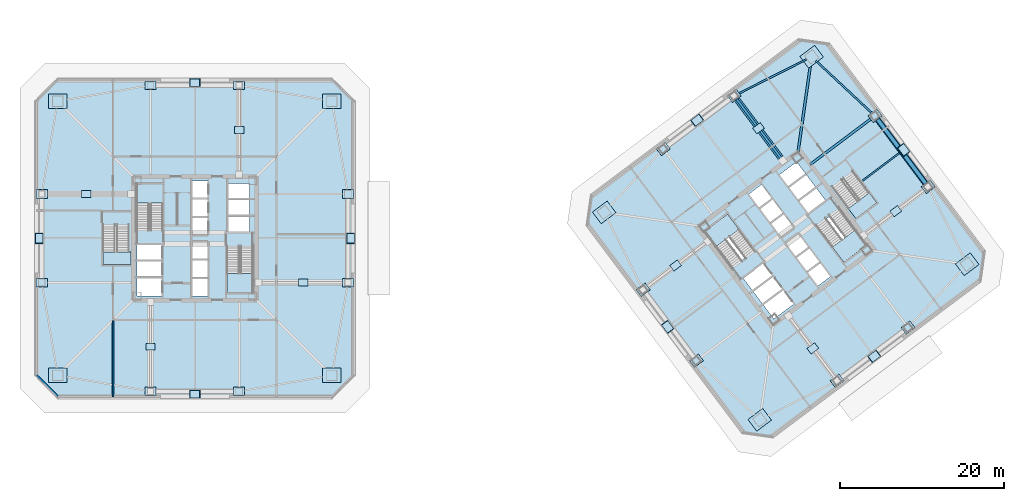
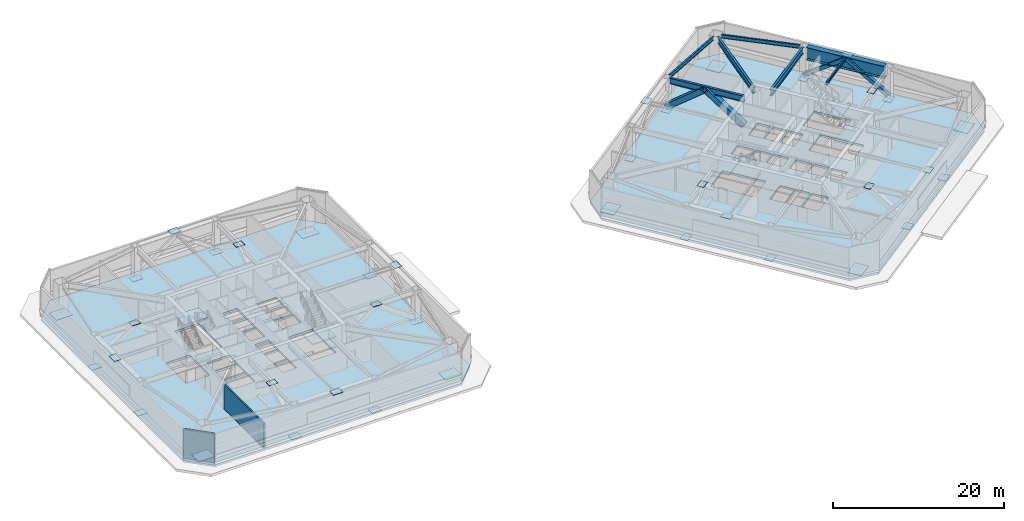
# One storey, part 4 of 15: 48 plates, 8 slabs, 7 beams, 4 members, 2 walls, 6 elements without a shape of their own.
"""IFC4 building model written with IfcOpenShell, lengths in metres."""

from ifc_helpers import new_model, si_unit, direction, frame, frame_2d, origin, origin_2d, place, context, subcontext, project, spatial, polyline, rectangle, hollow_rectangle, i_section, outline, extrude, material, layer, layer_set, material_profile, profile_set, type_object, element, aggregate, save


model = new_model("IFC4")

# Units and contexts
model_context = context("Model", 3, precision=1e-05, world=origin(), true_north=direction((0.0, 1.0)))
body_context = subcontext(model_context, "Body", "Model", "MODEL_VIEW")
ifc_project = project(units=[si_unit("LENGTHUNIT", "METRE"), si_unit("AREAUNIT", "SQUARE_METRE"), si_unit("VOLUMEUNIT", "CUBIC_METRE"), si_unit("PLANEANGLEUNIT", "RADIAN"), si_unit("MASSUNIT", "GRAM", prefix="KILO")], contexts=[model_context])

# Site, building, storey
site_placement = place(None, origin())
site = spatial("IfcSite", under=ifc_project, at=site_placement, CompositionType="ELEMENT")
building_placement = place(site_placement, origin())
building = spatial("IfcBuilding", under=site, at=building_placement, Name="Tashvorn Skyway Center", CompositionType="ELEMENT")
storey_placement = place(building_placement, frame((0.0, 0.0, 109.800048828125)))
storey = spatial("IfcBuildingStorey", under=building, at=storey_placement, Name="L29", CompositionType="ELEMENT", Elevation=109.800048828125)

# Beams
ifc_material_1 = material(Name="Steel ASTM A572 Grade 50", Category="steel")
ifc_material_profile_1 = material_profile(ifc_material_1, i_section(OverallWidth=0.699951171875, OverallDepth=1.800048828125, WebThickness=0.031982421875, FlangeThickness=0.050048828125, at=origin_2d()), Name="PG1800x700")
ifc_profile_set_1 = profile_set([ifc_material_profile_1], Name="Steel ASTM A572 Grade 50")
beam_type_1 = type_object("IfcBeamType", Name="BM-BEAM-PG1800x700", PredefinedType="BEAM", material=ifc_profile_set_1)
beam_1_placement = place(storey_placement, frame((131.10791015625, 38.60595703125, 3.52001953125), z_axis=(-0.599988234018, 0.800008824351, 0.0), x_axis=(-0.800008824351, -0.599988234018, 0.0)))
element("IfcBeam", 1, at=beam_1_placement, inside=storey, type_object=beam_type_1, Name="Tower 2 L29 Spandrel Beam 05", PredefinedType="BEAM", context=body_context, shape_type="SweptSolid", body=[
    extrude(i_section(OverallWidth=0.699951171875, OverallDepth=1.800048828125, WebThickness=0.031982421875, FlangeThickness=0.050048828125, at=origin_2d()), origin(), (0.0, 0.0, 1.0), 9.9599609375),
])
ifc_material_2 = material(Name="Steel ASTM A992 Grade 50", Category="steel")
ifc_material_profile_2 = material_profile(ifc_material_2, i_section(OverallWidth=0.2919921875, OverallDepth=0.85888671875, WebThickness=0.01708984375, FlangeThickness=0.031005859375, at=origin_2d()), Name="W33X169")
ifc_profile_set_2 = profile_set([ifc_material_profile_2], Name="Steel ASTM A992 Grade 50")
beam_type_2 = type_object("IfcBeamType", Name="BM-BEAM-W33X169", PredefinedType="BEAM", material=ifc_profile_set_2)
beam_2_placement = place(storey_placement, frame((117.06884765625, 53.4814453125, 3.990478515625), z_axis=(-0.141430483583, -0.989948189712, 0.0), x_axis=(0.989948189712, -0.141430483583, 0.0)))
element("IfcBeam", 2, at=beam_2_placement, inside=storey, type_object=beam_type_2, Name="Tower 2 L29 Primary Floor Girder MC-NE", PredefinedType="BEAM", context=body_context, shape_type="SweptSolid", body=[
    extrude(i_section(OverallWidth=0.2919921875, OverallDepth=0.85888671875, WebThickness=0.01708984375, FlangeThickness=0.031005859375, at=origin_2d()), origin(), (0.0, 0.0, 1.0), 11.234375),
])
for number, where, z_axis, x_axis, name in (
    (3, (124.5439453125, 46.657958984375, 3.990478515625), (-0.800006200354, -0.599991732772, 0.0), (0.599991732772, -0.800006200354, 0.0), "Tower 2 L29 Primary Floor Girder FC-E2"),
    (4, (107.98193359375, 49.02392578125, 3.990478515625), (0.600020667896, -0.799984498661, 0.0), (0.799984498661, 0.600020667896, 0.0), "Tower 2 L29 Primary Floor Girder FC-N1"),
):
    element("IfcBeam", number, at=place(storey_placement, frame(where, z_axis=z_axis, x_axis=x_axis)), inside=storey, type_object=beam_type_2, Name=name, PredefinedType="BEAM", context=body_context, shape_type="SweptSolid", body=[
        extrude(i_section(OverallWidth=0.2919921875, OverallDepth=0.85888671875, WebThickness=0.01708984375, FlangeThickness=0.031005859375, at=origin_2d()), origin(), (0.0, 0.0, 1.0), 9.449951171875),
    ])
ifc_material_profile_3 = material_profile(ifc_material_2, i_section(OverallWidth=0.177978515625, OverallDepth=0.406005859375, WebThickness=0.0078125, FlangeThickness=0.0126953125, at=origin_2d()), Name="W16X40")
ifc_profile_set_3 = profile_set([ifc_material_profile_3], Name="Steel ASTM A992 Grade 50")
beam_type_3 = type_object("IfcBeamType", Name="BM-JOIST-W16X40", PredefinedType="JOIST", material=ifc_profile_set_3)
beam_3_placement = place(storey_placement, frame((123.3359375, 39.001953125, 4.217041015625), z_axis=(0.800005196215, 0.599993071651, 0.0), x_axis=(-0.599993071651, 0.800005196215, 0.0)))
element("IfcBeam", 5, at=beam_3_placement, inside=storey, type_object=beam_type_3, Name="Tower 2 L29 Secondary Composite Joist JE", PredefinedType="JOIST", context=body_context, shape_type="SweptSolid", body=[
    extrude(i_section(OverallWidth=0.177978515625, OverallDepth=0.406005859375, WebThickness=0.0078125, FlangeThickness=0.0126953125, at=origin_2d()), origin(), (0.0, 0.0, 1.0), 5.63818359375),
])
ifc_material_profile_4 = material_profile(ifc_material_2, i_section(OverallWidth=0.2109375, OverallDepth=0.5390625, WebThickness=0.01171875, FlangeThickness=0.018798828125, at=origin_2d()), Name="W21X73")
ifc_profile_set_4 = profile_set([ifc_material_profile_4], Name="Steel ASTM A992 Grade 50")
beam_type_4 = type_object("IfcBeamType", Name="BM-SPANDREL-W21X73", PredefinedType="SPANDREL", material=ifc_profile_set_4)
beam_4_placement = place(storey_placement, frame((124.572998046875, 47.19677734375, 4.150390625), z_axis=(-0.730843250868, 0.682545341102, 0.0), x_axis=(-0.682545341102, -0.730843250868, 0.0)))
element("IfcBeam", 6, at=beam_4_placement, inside=storey, type_object=beam_type_4, Name="Tower 2 L29 Spandrel Beam 06", PredefinedType="SPANDREL", context=body_context, shape_type="SweptSolid", body=[
    extrude(i_section(OverallWidth=0.2109375, OverallDepth=0.5390625, WebThickness=0.01171875, FlangeThickness=0.018798828125, at=origin_2d()), origin(), (0.0, 0.0, 1.0), 9.498046875),
])
beam_5_placement = place(storey_placement, frame((116.584228515625, 53.829345703125, 4.150390625), z_axis=(-0.892719124217, -0.450613543136, 0.0), x_axis=(0.450613543136, -0.892719124217, 0.0)))
element("IfcBeam", 7, at=beam_5_placement, inside=storey, type_object=beam_type_4, Name="Tower 2 L29 Spandrel Beam 07", PredefinedType="SPANDREL", context=body_context, shape_type="SweptSolid", body=[
    extrude(i_section(OverallWidth=0.2109375, OverallDepth=0.5390625, WebThickness=0.01171875, FlangeThickness=0.018798828125, at=origin_2d()), origin(), (0.0, 0.0, 1.0), 9.498291015625),
])

# Members
ifc_material_profile_5 = material_profile(ifc_material_1, hollow_rectangle(XDim=0.5, YDim=0.5, WallThickness=0.02001953125, at=origin_2d()), Name="HSS500x500x20")
ifc_profile_set_5 = profile_set([ifc_material_profile_5], Name="Steel ASTM A572 Grade 50")
member_type_1 = type_object("IfcMemberType", Name="MEM-BT-500", PredefinedType="BRACE", material=ifc_profile_set_5)
member_1_placement = place(storey_placement, frame((131.360107421875, 38.27001953125, 0.25), z_axis=(-0.489821170162, 0.653107196595, 0.577517282007), x_axis=(-0.800005425265, -0.599992766245, 0.0)))
element("IfcMember", 8, at=member_1_placement, inside=storey, type_object=member_type_1, Name="Tower 2 L29 Perimeter Belt Truss BE-1", PredefinedType="BRACE", context=body_context, shape_type="SweptSolid", body=[
    extrude(hollow_rectangle(XDim=0.5, YDim=0.5, WallThickness=0.02001953125, at=origin_2d()), origin(), (0.0, 0.0, 1.0), 6.61474609375),
])
member_2_placement = place(storey_placement, frame((128.1201171875, 42.590087890625, 4.070068359375), z_axis=(-0.48986103091, 0.653074222492, -0.577520761802), x_axis=(-0.799967446739, -0.600043401895, 0.0)))
element("IfcMember", 9, at=member_2_placement, inside=storey, type_object=member_type_1, Name="Tower 2 L29 Perimeter Belt Truss BE-2", PredefinedType="BRACE", context=body_context, shape_type="SweptSolid", body=[
    extrude(hollow_rectangle(XDim=0.5, YDim=0.5, WallThickness=0.02001953125, at=origin_2d()), origin(), (0.0, 0.0, 1.0), 6.614501953125),
])
ifc_material_profile_6 = material_profile(ifc_material_1, hollow_rectangle(XDim=0.699951171875, YDim=0.699951171875, WallThickness=0.028076171875, at=origin_2d()), Name="BOX700x700x28")
ifc_profile_set_6 = profile_set([ifc_material_profile_6], Name="Steel ASTM A572 Grade 50")
member_type_2 = type_object("IfcMemberType", Name="MEM-OB-700", PredefinedType="BRACE", material=ifc_profile_set_6)
member_3_placement = place(storey_placement, frame((113.652099609375, 41.464111328125, 0.25), z_axis=(-0.474483713745, 0.632605831888, 0.612107071396), x_axis=(-0.799982190385, -0.600023745419, 0.0)))
element("IfcMember", 10, at=member_3_placement, inside=storey, type_object=member_type_2, Name="Tower 2 L29 Outrigger Truss Diagonal N1-1", PredefinedType="BRACE", context=body_context, shape_type="SweptSolid", body=[
    extrude(hollow_rectangle(XDim=0.699951171875, YDim=0.699951171875, WallThickness=0.028076171875, at=origin_2d()), origin(), (0.0, 0.0, 1.0), 6.240966796875),
])
member_4_placement = place(storey_placement, frame((110.69091796875, 45.412109375, 4.070068359375), z_axis=(-0.474453400351, 0.632617573967, -0.612118432989), x_axis=(-0.800005936558, -0.599992084508, 0.0)))
element("IfcMember", 11, at=member_4_placement, inside=storey, type_object=member_type_2, Name="Tower 2 L29 Outrigger Truss Diagonal N1-2", PredefinedType="BRACE", context=body_context, shape_type="SweptSolid", body=[
    extrude(hollow_rectangle(XDim=0.699951171875, YDim=0.699951171875, WallThickness=0.028076171875, at=origin_2d()), origin(), (0.0, 0.0, 1.0), 6.24072265625),
])

# Plates
ifc_layer_1 = layer(ifc_material_1, 0.034912109375)
ifc_layer_set_1 = layer_set([ifc_layer_1], Name="Steel ASTM A572 Grade 50")
plate_type_1 = type_object("IfcPlateType", Name="PLT-CAP-35", PredefinedType="USERDEFINED", material=ifc_layer_set_1)
for number, where, z_axis, x_axis, name in (
    (12, (42.0, 13.02001953125, 4.32763671875), (0.0, 0.0, 1.0), (1.0, 0.0, 0.0), "Tower 1 Zone 3 S Hollow-Section End Cap Plate"),
    (13, (60.97998046875, 32.0, 4.32763671875), (0.0, 0.0, 1.0), (0.0, 1.0, 0.0), "Tower 1 Zone 3 E Hollow-Section End Cap Plate"),
    (14, (42.0, 50.97998046875, 4.32763671875), (0.0, 0.0, 1.0), (-1.0, 0.0, 0.0), "Tower 1 Zone 3 N Hollow-Section End Cap Plate"),
    (15, (23.02001953125, 32.0, 4.32763671875), (0.0, 0.0, 1.0), (0.0, -1.0, 0.0), "Tower 1 Zone 3 W Hollow-Section End Cap Plate"),
    (16, (124.7880859375, 17.615966796875, 4.32763671875), (0.0, 0.0, 1.0), (0.799999996291, 0.600000004945, 0.0), "Tower 2 Zone 3 S Hollow-Section End Cap Plate"),
    (17, (128.384033203125, 42.7880859375, 4.32763671875), (0.0, 0.0, 1.0), (-0.600000004945, 0.799999996291, 0.0), "Tower 2 Zone 3 E Hollow-Section End Cap Plate"),
    (18, (103.2119140625, 46.384033203125, 4.32763671875), (0.0, 0.0, 1.0), (-0.799999996291, -0.600000004945, 0.0), "Tower 2 Zone 3 N Hollow-Section End Cap Plate"),
    (19, (99.615966796875, 21.2119140625, 4.32763671875), (0.0, 0.0, 1.0), (0.600000004945, -0.799999996291, 0.0), "Tower 2 Zone 3 W Hollow-Section End Cap Plate"),
):
    element("IfcPlate", number, at=place(storey_placement, frame(where, z_axis=z_axis, x_axis=x_axis)), inside=storey, type_object=plate_type_1, Name=name, ObjectType="END PLATE", PredefinedType="USERDEFINED", context=body_context, shape_type="SweptSolid", body=[
        extrude(rectangle(XDim=1.199951171875, YDim=0.919921875, at=origin_2d()), origin(), (0.0, 0.0, 1.0), 0.034912109375),
    ])
ifc_layer_2 = layer(ifc_material_1, 0.050048828125)
ifc_layer_set_2 = layer_set([ifc_layer_2], Name="Steel ASTM A572 Grade 50")
plate_type_2 = type_object("IfcPlateType", Name="PLT-ENDCAP-1650", PredefinedType="USERDEFINED", material=ifc_layer_set_2)
for number, where, z_axis, x_axis, name in (
    (20, (25.300048828125, 15.300048828125, -0.3349609375), (0.0, 0.0, 1.0), (1.0, 0.0, 0.0), "Tower 1 L29 MC-SW Setback Base End Plate"),
    (21, (58.699951171875, 15.300048828125, -0.3349609375), (0.0, 0.0, 1.0), (1.0, 0.0, 0.0), "Tower 1 L29 MC-SE Setback Base End Plate"),
    (22, (58.699951171875, 48.699951171875, -0.3349609375), (0.0, 0.0, 1.0), (1.0, 0.0, 0.0), "Tower 1 L29 MC-NE Setback Base End Plate"),
    (23, (25.300048828125, 48.699951171875, -0.3349609375), (0.0, 0.0, 1.0), (1.0, 0.0, 0.0), "Tower 1 L29 MC-NW Setback Base End Plate"),
    (24, (110.840087890625, 9.8798828125, -0.3349609375), (0.0, 0.0, 1.0), (0.799999996291, 0.600000004945, 0.0), "Tower 2 L29 MC-SW Setback Base End Plate"),
    (25, (136.1201171875, 28.840087890625, -0.3349609375), (0.0, 0.0, 1.0), (0.799999996291, 0.600000004945, 0.0), "Tower 2 L29 MC-SE Setback Base End Plate"),
    (26, (117.159912109375, 54.1201171875, -0.3349609375), (0.0, 0.0, 1.0), (0.799999996291, 0.600000004945, 0.0), "Tower 2 L29 MC-NE Setback Base End Plate"),
    (27, (91.8798828125, 35.159912109375, -0.3349609375), (0.0, 0.0, 1.0), (0.799999996291, 0.600000004945, 0.0), "Tower 2 L29 MC-NW Setback Base End Plate"),
):
    element("IfcPlate", number, at=place(storey_placement, frame(where, z_axis=z_axis, x_axis=x_axis)), inside=storey, type_object=plate_type_2, Name=name, ObjectType="END PLATE", PredefinedType="USERDEFINED", context=body_context, shape_type="SweptSolid", body=[
        extrude(rectangle(XDim=2.25, YDim=1.780029296875, at=origin_2d()), origin(), (0.0, 0.0, 1.0), 0.050048828125),
    ])
ifc_layer_3 = layer(ifc_material_1, 0.050048828125)
ifc_layer_set_3 = layer_set([ifc_layer_3], Name="Steel ASTM A572 Grade 50")
plate_type_3 = type_object("IfcPlateType", Name="PLT-ENDCAP-900", PredefinedType="USERDEFINED", material=ifc_layer_set_3)
for number, where, z_axis, x_axis, name in (
    (28, (36.60009765625, 13.35009765625, -0.3349609375), (0.0, 0.0, 1.0), (1.0, 0.0, 0.0), "Tower 1 L29 FC-S1 Setback Base End Plate"),
    (29, (47.39990234375, 13.35009765625, -0.3349609375), (0.0, 0.0, 1.0), (1.0, 0.0, 0.0), "Tower 1 L29 FC-S2 Setback Base End Plate"),
    (30, (60.64990234375, 26.60009765625, -0.3349609375), (0.0, 0.0, 1.0), (1.0, 0.0, 0.0), "Tower 1 L29 FC-E1 Setback Base End Plate"),
    (31, (60.64990234375, 37.39990234375, -0.3349609375), (0.0, 0.0, 1.0), (1.0, 0.0, 0.0), "Tower 1 L29 FC-E2 Setback Base End Plate"),
    (32, (47.39990234375, 50.64990234375, -0.3349609375), (0.0, 0.0, 1.0), (1.0, 0.0, 0.0), "Tower 1 L29 FC-N1 Setback Base End Plate"),
    (33, (36.60009765625, 50.64990234375, -0.3349609375), (0.0, 0.0, 1.0), (1.0, 0.0, 0.0), "Tower 1 L29 FC-N2 Setback Base End Plate"),
    (34, (23.35009765625, 37.39990234375, -0.3349609375), (0.0, 0.0, 1.0), (1.0, 0.0, 0.0), "Tower 1 L29 FC-W1 Setback Base End Plate"),
    (35, (23.35009765625, 26.60009765625, -0.3349609375), (0.0, 0.0, 1.0), (1.0, 0.0, 0.0), "Tower 1 L29 FC-W2 Setback Base End Plate"),
    (36, (120.27001953125, 14.639892578125, -0.3349609375), (0.0, 0.0, 1.0), (0.799999996291, 0.600000004945, 0.0), "Tower 2 L29 FC-S1 Setback Base End Plate"),
    (37, (128.909912109375, 21.1201171875, -0.3349609375), (0.0, 0.0, 1.0), (0.799999996291, 0.600000004945, 0.0), "Tower 2 L29 FC-S2 Setback Base End Plate"),
    (38, (131.360107421875, 38.27001953125, -0.3349609375), (0.0, 0.0, 1.0), (0.799999996291, 0.600000004945, 0.0), "Tower 2 L29 FC-E1 Setback Base End Plate"),
    (39, (124.8798828125, 46.909912109375, -0.3349609375), (0.0, 0.0, 1.0), (0.799999996291, 0.600000004945, 0.0), "Tower 2 L29 FC-E2 Setback Base End Plate"),
    (40, (107.72998046875, 49.360107421875, -0.3349609375), (0.0, 0.0, 1.0), (0.799999996291, 0.600000004945, 0.0), "Tower 2 L29 FC-N1 Setback Base End Plate"),
    (41, (99.090087890625, 42.8798828125, -0.3349609375), (0.0, 0.0, 1.0), (0.799999996291, 0.600000004945, 0.0), "Tower 2 L29 FC-N2 Setback Base End Plate"),
    (42, (96.639892578125, 25.72998046875, -0.3349609375), (0.0, 0.0, 1.0), (0.799999996291, 0.600000004945, 0.0), "Tower 2 L29 FC-W1 Setback Base End Plate"),
    (43, (103.1201171875, 17.090087890625, -0.3349609375), (0.0, 0.0, 1.0), (0.799999996291, 0.600000004945, 0.0), "Tower 2 L29 FC-W2 Setback Base End Plate"),
):
    element("IfcPlate", number, at=place(storey_placement, frame(where, z_axis=z_axis, x_axis=x_axis)), inside=storey, type_object=plate_type_3, Name=name, ObjectType="END PLATE", PredefinedType="USERDEFINED", context=body_context, shape_type="SweptSolid", body=[
        extrude(rectangle(XDim=1.35009765625, YDim=1.050048828125, at=origin_2d()), origin(), (0.0, 0.0, 1.0), 0.050048828125),
    ])
ifc_layer_4 = layer(ifc_material_1, 0.0400390625)
ifc_layer_set_4 = layer_set([ifc_layer_4], Name="Steel ASTM A572 Grade 50")
plate_type_4 = type_object("IfcPlateType", Name="PLT-GUSSET-40", PredefinedType="USERDEFINED", material=ifc_layer_set_4)
for number, where, z_axis, x_axis, name in (
    (44, (47.39990234375, 45.215087890625, 4.050048828125), (0.0, 0.0, 1.0), (1.0, 0.0, 0.0), "Tower 1 L29 Outrigger Node Gusset N1"),
    (45, (36.60009765625, 18.784912109375, 4.050048828125), (0.0, 0.0, 1.0), (1.0, 0.0, 0.0), "Tower 1 L29 Outrigger Node Gusset S1"),
    (46, (55.215087890625, 26.60009765625, 4.050048828125), (0.0, 0.0, 1.0), (1.0, 0.0, 0.0), "Tower 1 L29 Outrigger Node Gusset E1"),
    (47, (28.784912109375, 37.39990234375, 4.050048828125), (0.0, 0.0, 1.0), (1.0, 0.0, 0.0), "Tower 1 L29 Outrigger Node Gusset W1"),
    (48, (110.69091796875, 45.412109375, 4.050048828125), (0.0, 0.0, 1.0), (0.799999996291, 0.600000004945, 0.0), "Tower 2 L29 Outrigger Node Gusset N1"),
    (49, (117.30908203125, 18.587890625, 4.050048828125), (0.0, 0.0, 1.0), (0.799999996291, 0.600000004945, 0.0), "Tower 2 L29 Outrigger Node Gusset S1"),
    (50, (127.412109375, 35.30908203125, 4.050048828125), (0.0, 0.0, 1.0), (0.799999996291, 0.600000004945, 0.0), "Tower 2 L29 Outrigger Node Gusset E1"),
    (51, (100.587890625, 28.69091796875, 4.050048828125), (0.0, 0.0, 1.0), (0.799999996291, 0.600000004945, 0.0), "Tower 2 L29 Outrigger Node Gusset W1"),
):
    element("IfcPlate", number, at=place(storey_placement, frame(where, z_axis=z_axis, x_axis=x_axis)), inside=storey, type_object=plate_type_4, Name=name, ObjectType="GUSSET PLATE", PredefinedType="USERDEFINED", context=body_context, shape_type="SweptSolid", body=[
        extrude(rectangle(XDim=1.14990234375, YDim=0.85009765625, at=origin_2d()), origin(), (0.0, 0.0, 1.0), 0.0400390625),
    ])
ifc_layer_5 = layer(ifc_material_1, 0.044921875)
ifc_layer_set_5 = layer_set([ifc_layer_5], Name="Steel ASTM A572 Grade 50")
plate_type_5 = type_object("IfcPlateType", Name="PLT-GUSSET-45", PredefinedType="USERDEFINED", material=ifc_layer_set_5)
for number, where, z_axis, x_axis, name in (
    (52, (42.0, 13.02001953125, 4.362548828125), (0.0, 0.0, 1.0), (1.0, 0.0, 0.0), "Tower 1 Zone 3 S Apex Node Gusset Plate"),
    (53, (60.97998046875, 32.0, 4.362548828125), (0.0, 0.0, 1.0), (0.0, 1.0, 0.0), "Tower 1 Zone 3 E Apex Node Gusset Plate"),
    (54, (42.0, 50.97998046875, 4.362548828125), (0.0, 0.0, 1.0), (-1.0, 0.0, 0.0), "Tower 1 Zone 3 N Apex Node Gusset Plate"),
    (55, (23.02001953125, 32.0, 4.362548828125), (0.0, 0.0, 1.0), (0.0, -1.0, 0.0), "Tower 1 Zone 3 W Apex Node Gusset Plate"),
    (56, (124.7880859375, 17.615966796875, 4.362548828125), (0.0, 0.0, 1.0), (0.799999996291, 0.600000004945, 0.0), "Tower 2 Zone 3 S Apex Node Gusset Plate"),
    (57, (128.384033203125, 42.7880859375, 4.362548828125), (0.0, 0.0, 1.0), (-0.600000004945, 0.799999996291, 0.0), "Tower 2 Zone 3 E Apex Node Gusset Plate"),
    (58, (103.2119140625, 46.384033203125, 4.362548828125), (0.0, 0.0, 1.0), (-0.799999996291, -0.600000004945, 0.0), "Tower 2 Zone 3 N Apex Node Gusset Plate"),
    (59, (99.615966796875, 21.2119140625, 4.362548828125), (0.0, 0.0, 1.0), (0.600000004945, -0.799999996291, 0.0), "Tower 2 Zone 3 W Apex Node Gusset Plate"),
):
    element("IfcPlate", number, at=place(storey_placement, frame(where, z_axis=z_axis, x_axis=x_axis)), inside=storey, type_object=plate_type_5, Name=name, ObjectType="GUSSET PLATE", PredefinedType="USERDEFINED", context=body_context, shape_type="SweptSolid", body=[
        extrude(rectangle(XDim=1.35009765625, YDim=0.949951171875, at=origin_2d()), origin(), (0.0, 0.0, 1.0), 0.044921875),
    ])

# Slabs
ifc_material_3 = material(Name="Concrete C50/60", Category="concrete")
ifc_layer_6 = layer(ifc_material_3, 0.300048828125)
ifc_layer_set_6 = layer_set([ifc_layer_6], Name="Concrete C50/60")
slab_type_1 = type_object("IfcSlabType", Name="SLAB-FLR-300", PredefinedType="FLOOR", material=ifc_layer_set_6)
slab_1_placement = place(storey_placement, frame((0.0, 0.0, -0.300048828125)))
element("IfcSlab", 60, at=slab_1_placement, inside=storey, type_object=slab_type_1, Name="Tower 1 L29 Composite Floor Slab", PredefinedType="FLOOR", context=body_context, shape_type="SweptSolid", body=[
    extrude(outline(polyline([(25.300048828125, 12.60009765625), (58.699951171875, 12.60009765625), (61.39990234375, 15.300048828125), (61.39990234375, 48.699951171875), (58.699951171875, 51.39990234375), (25.300048828125, 51.39990234375), (22.60009765625, 48.699951171875), (22.60009765625, 15.300048828125), (25.300048828125, 12.60009765625)]), holes=[polyline([(38.10009765625, 33.080078125), (38.10009765625, 38.60009765625), (34.89990234375, 38.60009765625), (34.89990234375, 33.080078125), (38.10009765625, 33.080078125)]), polyline([(45.89990234375, 30.919921875), (45.89990234375, 25.39990234375), (49.10009765625, 25.39990234375), (49.10009765625, 30.919921875), (45.89990234375, 30.919921875)]), polyline([(30.800048828125, 33.52001953125), (30.800048828125, 28.800048828125), (34.0, 28.800048828125), (34.0, 33.52001953125), (30.800048828125, 33.52001953125)]), polyline([(34.949951171875, 29.35009765625), (37.949951171875, 29.35009765625), (37.949951171875, 31.199951171875), (34.949951171875, 31.199951171875), (34.949951171875, 29.35009765625)]), polyline([(34.949951171875, 27.35009765625), (37.949951171875, 27.35009765625), (37.949951171875, 29.199951171875), (34.949951171875, 29.199951171875), (34.949951171875, 27.35009765625)]), polyline([(34.949951171875, 25.0), (37.949951171875, 25.0), (37.949951171875, 27.14990234375), (34.949951171875, 27.14990234375), (34.949951171875, 25.0)]), polyline([(41.64990234375, 25.0), (43.550048828125, 25.0), (43.550048828125, 27.050048828125), (41.64990234375, 27.050048828125), (41.64990234375, 25.0)]), polyline([(41.64990234375, 27.25), (43.550048828125, 27.25), (43.550048828125, 29.300048828125), (41.64990234375, 29.300048828125), (41.64990234375, 27.25)]), polyline([(41.64990234375, 29.5), (43.550048828125, 29.5), (43.550048828125, 31.550048828125), (41.64990234375, 31.550048828125), (41.64990234375, 29.5)]), polyline([(41.64990234375, 32.449951171875), (43.550048828125, 32.449951171875), (43.550048828125, 34.5), (41.64990234375, 34.5), (41.64990234375, 32.449951171875)]), polyline([(41.64990234375, 34.699951171875), (43.550048828125, 34.699951171875), (43.550048828125, 36.75), (41.64990234375, 36.75), (41.64990234375, 34.699951171875)]), polyline([(41.64990234375, 36.949951171875), (43.550048828125, 36.949951171875), (43.550048828125, 39.0), (41.64990234375, 39.0), (41.64990234375, 36.949951171875)]), polyline([(46.050048828125, 32.800048828125), (48.64990234375, 32.800048828125), (48.64990234375, 34.64990234375), (46.050048828125, 34.64990234375), (46.050048828125, 32.800048828125)]), polyline([(46.050048828125, 34.85009765625), (48.64990234375, 34.85009765625), (48.64990234375, 36.699951171875), (46.050048828125, 36.699951171875), (46.050048828125, 34.85009765625)]), polyline([(46.050048828125, 36.89990234375), (48.64990234375, 36.89990234375), (48.64990234375, 38.64990234375), (46.050048828125, 38.64990234375), (46.050048828125, 36.89990234375)])]), origin(), (0.0, 0.0, 1.0), 0.300048828125),
])
slab_2_placement = place(storey_placement, frame((0.0, 0.0, -0.300048828125)))
element("IfcSlab", 61, at=slab_2_placement, inside=storey, type_object=slab_type_1, Name="Tower 2 L29 Composite Floor Slab", PredefinedType="FLOOR", context=body_context, shape_type="SweptSolid", body=[
    extrude(outline(polyline([(112.39990234375, 7.800048828125), (137.679931640625, 26.760009765625), (138.199951171875, 30.39990234375), (119.239990234375, 55.679931640625), (115.60009765625, 56.199951171875), (90.320068359375, 37.239990234375), (89.800048828125, 33.60009765625), (108.760009765625, 8.320068359375), (112.39990234375, 7.800048828125)]), holes=[polyline([(110.23193359375, 30.52392578125), (106.919921875, 34.93994140625), (104.135986328125, 32.85205078125), (107.447998046875, 28.43603515625), (110.23193359375, 30.52392578125)]), polyline([(117.76806640625, 33.47607421875), (121.080078125, 29.06005859375), (123.864013671875, 31.14794921875), (120.552001953125, 35.56396484375), (117.76806640625, 33.47607421875)]), polyline([(119.7119140625, 38.18408203125), (122.5439453125, 34.407958984375), (125.10400390625, 36.327880859375), (122.27197265625, 40.10400390625), (119.7119140625, 38.18408203125)]), polyline([(109.949951171875, 25.64990234375), (112.35009765625, 27.449951171875), (111.239990234375, 28.929931640625), (108.840087890625, 27.1298828125), (109.949951171875, 25.64990234375)]), polyline([(111.14990234375, 24.050048828125), (113.550048828125, 25.85009765625), (112.43994140625, 27.330078125), (110.0400390625, 25.530029296875), (111.14990234375, 24.050048828125)]), polyline([(112.56005859375, 22.169921875), (114.9599609375, 23.969970703125), (113.669921875, 25.68994140625), (111.27001953125, 23.889892578125), (112.56005859375, 22.169921875)]), polyline([(117.919921875, 26.18994140625), (119.43994140625, 27.330078125), (118.2099609375, 28.969970703125), (116.68994140625, 27.830078125), (117.919921875, 26.18994140625)]), polyline([(116.570068359375, 27.989990234375), (118.090087890625, 29.1298828125), (116.860107421875, 30.77001953125), (115.340087890625, 29.6298828125), (116.570068359375, 27.989990234375)]), polyline([(115.219970703125, 29.7900390625), (116.739990234375, 30.929931640625), (115.510009765625, 32.570068359375), (113.989990234375, 31.429931640625), (115.219970703125, 29.7900390625)]), polyline([(113.449951171875, 32.14990234375), (114.969970703125, 33.2900390625), (113.739990234375, 34.929931640625), (112.219970703125, 33.7900390625), (113.449951171875, 32.14990234375)]), polyline([(112.10009765625, 33.949951171875), (113.6201171875, 35.090087890625), (112.389892578125, 36.72998046875), (110.8701171875, 35.590087890625), (112.10009765625, 33.949951171875)]), polyline([(110.75, 35.75), (112.27001953125, 36.889892578125), (111.0400390625, 38.530029296875), (109.52001953125, 37.389892578125), (110.75, 35.75)]), polyline([(116.760009765625, 35.070068359375), (118.840087890625, 36.6298828125), (117.72998046875, 38.110107421875), (115.64990234375, 36.550048828125), (116.760009765625, 35.070068359375)]), polyline([(115.530029296875, 36.7099609375), (117.610107421875, 38.27001953125), (116.5, 39.75), (114.419921875, 38.18994140625), (115.530029296875, 36.7099609375)]), polyline([(114.300048828125, 38.35009765625), (116.3798828125, 39.909912109375), (115.330078125, 41.31005859375), (113.25, 39.75), (114.300048828125, 38.35009765625)])]), origin(), (0.0, 0.0, 1.0), 0.300048828125),
])

# Stair, slab
ifc_material_4 = material(Name="Concrete C40/50", Category="concrete")
stair_type = type_object("IfcStairType", Name="STAIR-CORE-1500", PredefinedType="HALF_TURN_STAIR", material=ifc_material_4)
stair_1_placement = place(storey_placement, origin())
stair_1 = element("IfcStair", 62, at=stair_1_placement, inside=storey, type_object=stair_type, Name="L29 Tower 1 Exit Stair 1", PredefinedType="HALF_TURN_STAIR")
ifc_layer_7 = layer(ifc_material_4, 0.199951171875)
ifc_layer_set_7 = layer_set([ifc_layer_7], Name="Concrete C40/50")
slab_type_2 = type_object("IfcSlabType", Name="SLAB-LAND-200", PredefinedType="LANDING", material=ifc_layer_set_7)
slab_3_placement = place(storey_placement, frame((0.0, 0.0, 2.099853515625)))
slab_3 = element("IfcSlab", 63, at=slab_3_placement, type_object=slab_type_2, Name="ST-T1-1 landing 1", PredefinedType="LANDING", context=body_context, shape_type="SweptSolid", body=[
    extrude(outline(polyline([(38.10009765625, 36.280029296875), (38.10009765625, 38.60009765625), (34.89990234375, 38.60009765625), (34.89990234375, 36.280029296875), (38.10009765625, 36.280029296875)])), origin(), (0.0, 0.0, 1.0), 0.2001953125),
])
aggregate(stair_1, [slab_3])

stair_2_placement = place(storey_placement, origin())
stair_2 = element("IfcStair", 64, at=stair_2_placement, inside=storey, type_object=stair_type, Name="L29 Tower 1 Exit Stair 2", PredefinedType="HALF_TURN_STAIR")
slab_4_placement = place(storey_placement, frame((0.0, 0.0, 2.099853515625)))
slab_4 = element("IfcSlab", 65, at=slab_4_placement, type_object=slab_type_2, Name="ST-T1-2 landing 1", PredefinedType="LANDING", context=body_context, shape_type="SweptSolid", body=[
    extrude(outline(polyline([(45.89990234375, 27.719970703125), (45.89990234375, 25.39990234375), (49.10009765625, 25.39990234375), (49.10009765625, 27.719970703125), (45.89990234375, 27.719970703125)])), origin(), (0.0, 0.0, 1.0), 0.2001953125),
])
aggregate(stair_2, [slab_4])

stair_3_placement = place(storey_placement, origin())
stair_3 = element("IfcStair", 66, at=stair_3_placement, inside=storey, type_object=stair_type, Name="L29 Tower 2 Exit Stair 1", PredefinedType="HALF_TURN_STAIR")
slab_5_placement = place(storey_placement, frame((0.0, 0.0, 2.099853515625)))
slab_5 = element("IfcSlab", 67, at=slab_5_placement, type_object=slab_type_2, Name="ST-T2-1 landing 1", PredefinedType="LANDING", context=body_context, shape_type="SweptSolid", body=[
    extrude(outline(polyline([(108.31689453125, 33.07763671875), (106.919921875, 34.93994140625), (104.135986328125, 32.85205078125), (105.53271484375, 30.989501953125), (108.31689453125, 33.07763671875)])), origin(), (0.0, 0.0, 1.0), 0.2001953125),
])
aggregate(stair_3, [slab_5])

stair_4_placement = place(storey_placement, origin())
stair_4 = element("IfcStair", 68, at=stair_4_placement, inside=storey, type_object=stair_type, Name="L29 Tower 2 Exit Stair 2", PredefinedType="HALF_TURN_STAIR")
slab_6_placement = place(storey_placement, frame((0.0, 0.0, 2.099853515625)))
slab_6 = element("IfcSlab", 69, at=slab_6_placement, type_object=slab_type_2, Name="ST-T2-2 landing 1", PredefinedType="LANDING", context=body_context, shape_type="SweptSolid", body=[
    extrude(outline(polyline([(119.68310546875, 30.92236328125), (121.080078125, 29.06005859375), (123.864013671875, 31.14794921875), (122.46728515625, 33.010498046875), (119.68310546875, 30.92236328125)])), origin(), (0.0, 0.0, 1.0), 0.2001953125),
])
aggregate(stair_4, [slab_6])

stair_5_placement = place(storey_placement, origin())
stair_5 = element("IfcStair", 70, at=stair_5_placement, inside=storey, type_object=stair_type, Name="L29 Tower 1 Exit Stair 3", PredefinedType="HALF_TURN_STAIR")
slab_7_placement = place(storey_placement, frame((0.0, 0.0, 2.099853515625)))
slab_7 = element("IfcSlab", 71, at=slab_7_placement, type_object=slab_type_2, Name="ST-T1-3 landing 1", PredefinedType="LANDING", context=body_context, shape_type="SweptSolid", body=[
    extrude(outline(polyline([(30.800048828125, 30.320068359375), (30.800048828125, 28.800048828125), (34.199951171875, 28.800048828125), (34.199951171875, 30.320068359375), (30.800048828125, 30.320068359375)])), origin(), (0.0, 0.0, 1.0), 0.2001953125),
])
aggregate(stair_5, [slab_7])

stair_6_placement = place(storey_placement, origin())
stair_6 = element("IfcStair", 72, at=stair_6_placement, inside=storey, type_object=stair_type, Name="L29 Tower 2 Exit Stair 3", PredefinedType="HALF_TURN_STAIR")
slab_8_placement = place(storey_placement, frame((0.0, 0.0, 2.099853515625)))
slab_8 = element("IfcSlab", 73, at=slab_8_placement, type_object=slab_type_2, Name="ST-T2-3 landing 1", PredefinedType="LANDING", context=body_context, shape_type="SweptSolid", body=[
    extrude(outline(polyline([(121.627197265625, 35.63037109375), (122.5439453125, 34.407958984375), (125.10400390625, 36.327880859375), (124.187255859375, 37.55029296875), (121.627197265625, 35.63037109375)])), origin(), (0.0, 0.0, 1.0), 0.2001953125),
])
aggregate(stair_6, [slab_8])

# Walls
ifc_material_5 = material(Name="Precast concrete C40/50", Category="concrete")
ifc_layer_8 = layer(ifc_material_5, 0.280029296875)
ifc_layer_set_8 = layer_set([ifc_layer_8], Name="Precast concrete C40/50")
wall_type_1 = type_object("IfcWallType", Name="WALL-EXT-280", PredefinedType="SOLIDWALL", material=ifc_layer_set_8)
wall_1_placement = place(storey_placement, frame((25.300048828125, 12.699951171875, 0.0), z_axis=(0.0, 0.0, 1.0), x_axis=(-0.707106781187, 0.707106781187, 0.0)))
element("IfcWall", 74, at=wall_1_placement, inside=storey, type_object=wall_type_1, Name="Tower 1 L29 SW Precast Chamfer Wall", PredefinedType="SOLIDWALL", context=body_context, shape_type="SweptSolid", body=[
    extrude(rectangle(XDim=3.677001953125, YDim=0.280029296875, at=frame_2d((1.83837890625, 0.0))), origin(), (0.0, 0.0, 1.0), 4.419921875),
])
ifc_layer_9 = layer(ifc_material_4, 0.199951171875)
ifc_layer_set_9 = layer_set([ifc_layer_9], Name="Concrete C40/50")
wall_type_2 = type_object("IfcWallType", Name="WALL-SHAFT-200", PredefinedType="SOLIDWALL", material=ifc_layer_set_9)
wall_2_placement = place(storey_placement, frame((32.050048828125, 21.929931640625, 0.0), z_axis=(0.0, 0.0, 1.0), x_axis=(0.0, -1.0, 0.0)))
element("IfcWall", 75, at=wall_2_placement, inside=storey, type_object=wall_type_2, Name="Tower 1 L29 Plant Radial SW", PredefinedType="SOLIDWALL", context=body_context, shape_type="SweptSolid", body=[
    extrude(rectangle(XDim=9.2099609375, YDim=0.199951171875, at=frame_2d((4.60498046875, 0.0))), origin(), (0.0, 0.0, 1.0), 3.531005859375),
])

save(model, "model.ifc")
